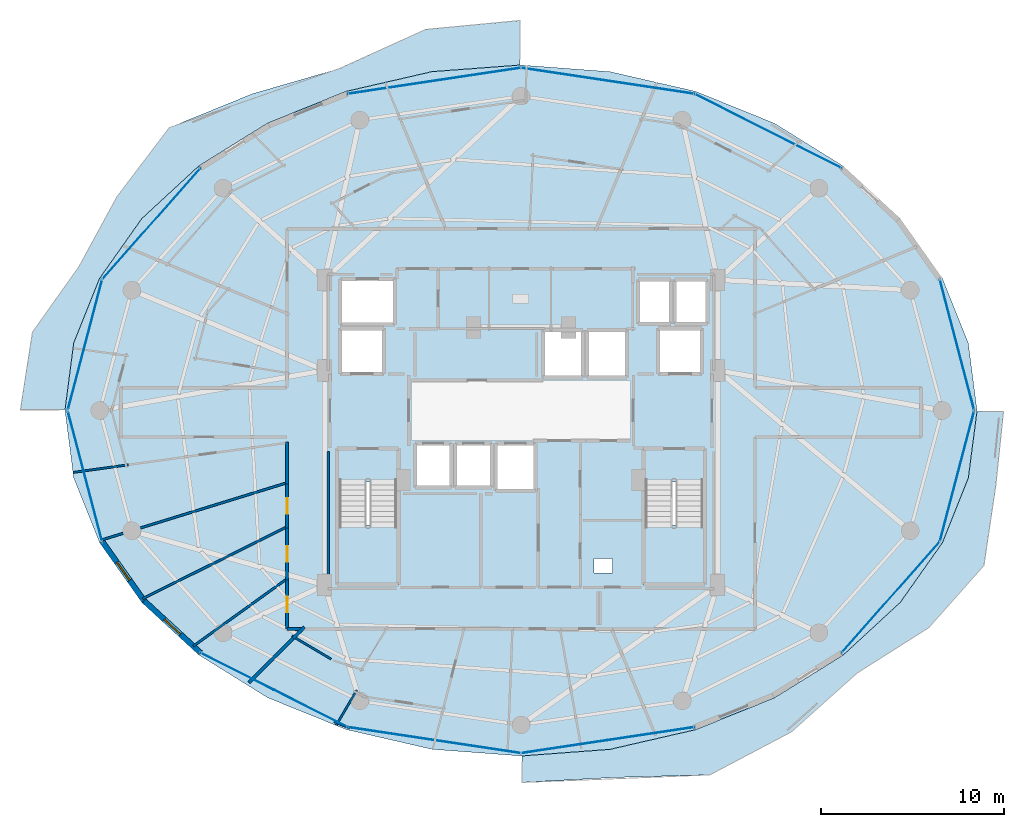
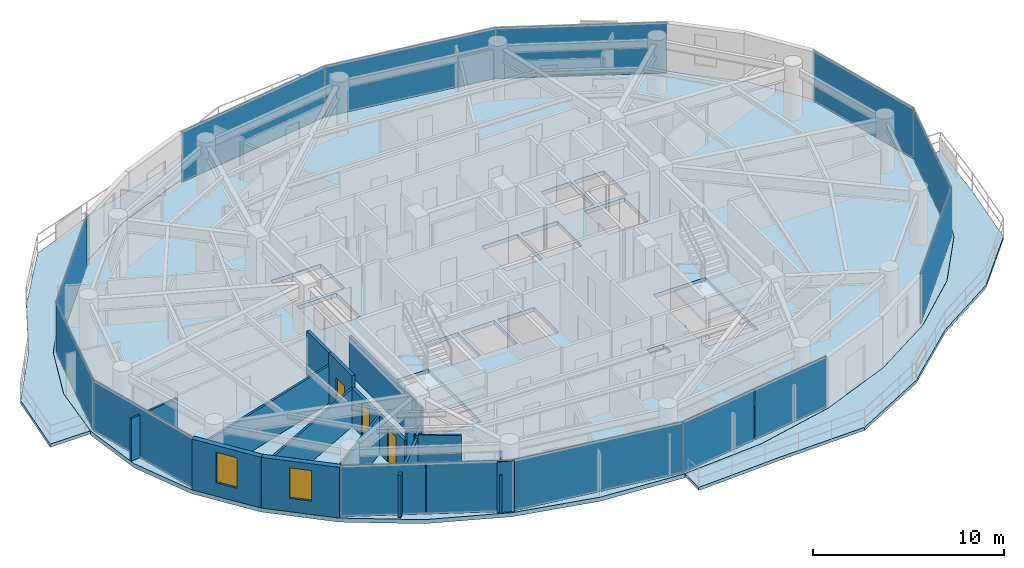
# One storey, part 20 of 29: 17 walls, 14 plates, 5 slabs, 3 doors, 2 windows, 5 openings, 6 elements without a shape of their own.
"""IFC4 building model written with IfcOpenShell, lengths in metres."""

import ifcopenshell
import ifcopenshell.guid

model = None  # the IFC model being written
_history = None  # IfcOwnerHistory: only IFC2X3 demands one
_inside = {}  # id of a spatial element -> (the spatial element, [elements in it])
_under = {}  # id of a project, library or spatial element -> (it, [spatial elements below it])
_declared = {}  # id of a project -> (the project, [libraries it declares])
_typed = {}  # id of a type object -> (the type object, [elements of that type])
_made_of = {}  # id of a material, layer set ... -> (it, [elements and type objects made of it])


def new_model(schema):
    """Start an empty IFC model of exactly this schema.

    Asked for "IFC4X3", IfcOpenShell would pick the latest addendum, in which some entities
    have other attributes; the version numbers below select the first issue.
    IFC2X3 requires an IfcOwnerHistory on every rooted entity: one is made here for all.
    """
    global model, _history
    if schema == "IFC4X3":
        model = ifcopenshell.file(schema_version=(4, 3, 0, 0))
    else:
        model = ifcopenshell.file(schema=schema)
    _inside.clear()
    _under.clear()
    _declared.clear()
    _typed.clear()
    _made_of.clear()
    _history = None
    if model.schema == "IFC2X3":
        org = make("IfcOrganization", Name="unknown")
        user = make(
            "IfcPersonAndOrganization",
            ThePerson=make("IfcPerson", FamilyName="unknown"),
            TheOrganization=org,
        )
        app = make(
            "IfcApplication",
            ApplicationDeveloper=org,
            Version="unknown",
            ApplicationFullName="unknown",
            ApplicationIdentifier="unknown",
        )
        _history = make(
            "IfcOwnerHistory",
            OwningUser=user,
            OwningApplication=app,
            ChangeAction="ADDED",
            CreationDate=0,
        )
    return model


def make(cls, **values):
    """One entity of the class cls with the attributes given. An attribute that is None is left unset."""
    return model.create_entity(
        cls, **{name: value for name, value in values.items() if value is not None}
    )


def rooted(cls, **values):
    """An entity with a GlobalId (a new one), such as an element, a storey or a relation."""
    return make(cls, GlobalId=ifcopenshell.guid.new(), OwnerHistory=_history, **values)


def si_unit(unit_type, name, prefix=None):
    """IfcSIUnit, for example si_unit("LENGTHUNIT", "METRE", prefix="MILLI")."""
    return make("IfcSIUnit", UnitType=unit_type, Prefix=prefix, Name=name)


def assignment(units):
    """IfcUnitAssignment: the units of a project."""
    return None if units is None else make("IfcUnitAssignment", Units=units)


def point(xyz):
    """IfcCartesianPoint."""
    return None if xyz is None else make("IfcCartesianPoint", Coordinates=xyz)


def direction(xyz):
    """IfcDirection."""
    return None if xyz is None else make("IfcDirection", DirectionRatios=xyz)


def frame(location, z_axis=None, x_axis=None):
    """IfcAxis2Placement3D, a coordinate frame: its origin and axes. An axis left out is left unset."""
    return make(
        "IfcAxis2Placement3D",
        Location=point(location),
        Axis=direction(z_axis),
        RefDirection=direction(x_axis),
    )


def frame_2d(location, x_axis=None):
    """IfcAxis2Placement2D, a coordinate frame in the plane: its origin and x axis."""
    return make(
        "IfcAxis2Placement2D", Location=point(location), RefDirection=direction(x_axis)
    )


def origin():
    """The frame at (0, 0, 0) with its axes left unset."""
    return frame((0.0, 0.0, 0.0))


def origin_2d():
    """The frame at (0, 0) in the plane with its x axis left unset."""
    return frame_2d((0.0, 0.0))


def place(relative_to, where):
    """IfcLocalPlacement: puts the frame where relative to a parent placement (None: the world)."""
    return make(
        "IfcLocalPlacement", PlacementRelTo=relative_to, RelativePlacement=where
    )


def context(
    kind, dimensions, precision=None, world=None, true_north=None, identifier=None
):
    """IfcGeometricRepresentationContext, for example the 3D "Model" context."""
    return make(
        "IfcGeometricRepresentationContext",
        ContextIdentifier=identifier,
        ContextType=kind,
        CoordinateSpaceDimension=dimensions,
        Precision=precision,
        WorldCoordinateSystem=world,
        TrueNorth=true_north,
    )


def subcontext(parent, identifier, kind, view, scale=None):
    """IfcGeometricRepresentationSubContext, for example "Body" below "Model"."""
    return make(
        "IfcGeometricRepresentationSubContext",
        ContextIdentifier=identifier,
        ContextType=kind,
        ParentContext=parent,
        TargetScale=scale,
        TargetView=view,
    )


def project(units=None, contexts=None):
    """IfcProject with its units and contexts."""
    return rooted(
        "IfcProject",
        Name="project",
        RepresentationContexts=contexts,
        UnitsInContext=assignment(units),
    )


def spatial(cls, under=None, at=None, **own):
    """A site, building, storey or space (cls), placed at a placement, below another one or the project."""
    s = rooted(cls, ObjectPlacement=at, **own)
    if under is not None:
        _under.setdefault(under.id(), (under, []))[1].append(s)
    return s


def polyline(points):
    """IfcPolyline through the points."""
    return make("IfcPolyline", Points=[point(p) for p in points])


def profile(cls, at=None, kind="AREA", **sizes):
    """A parametric profile (cls). Its sizes go by their IFC names, for example OverallWidth=200.0."""
    return make(cls, ProfileType=kind, Position=at, **sizes)


def rectangle(**sizes):
    """IfcRectangleProfileDef."""
    return profile("IfcRectangleProfileDef", **sizes)


def outline(outer, holes=None, kind="AREA"):
    """IfcArbitraryClosedProfileDef: a profile drawn as a closed curve; with holes, ...WithVoids."""
    if holes is None:
        return make("IfcArbitraryClosedProfileDef", ProfileType=kind, OuterCurve=outer)
    return make(
        "IfcArbitraryProfileDefWithVoids",
        ProfileType=kind,
        OuterCurve=outer,
        InnerCurves=holes,
    )


def extrude(swept, where, along, depth):
    """IfcExtrudedAreaSolid: the profile swept, set in the frame where, extruded along a direction by depth."""
    return make(
        "IfcExtrudedAreaSolid",
        SweptArea=swept,
        Position=where,
        ExtrudedDirection=direction(along),
        Depth=depth,
    )


def shape(context_of_items, identifier, shape_type, items):
    """IfcShapeRepresentation: the items that make up one representation, for example the "Body"."""
    return make(
        "IfcShapeRepresentation",
        ContextOfItems=context_of_items,
        RepresentationIdentifier=identifier,
        RepresentationType=shape_type,
        Items=items,
    )


def material(Name=None, Category=None):
    """IfcMaterial."""
    return make("IfcMaterial", Name=Name, Category=Category)


def layer(
    of_material, thickness, ventilated=None, Name=None, Category=None, Priority=None
):
    """IfcMaterialLayer: one layer of a wall or slab, of a material (None: an air gap)."""
    return make(
        "IfcMaterialLayer",
        Material=of_material,
        LayerThickness=thickness,
        IsVentilated=ventilated,
        Name=Name,
        Category=Category,
        Priority=Priority,
    )


def layer_set(layers, Name=None):
    """IfcMaterialLayerSet."""
    return make("IfcMaterialLayerSet", MaterialLayers=layers, LayerSetName=Name)


def made_of(thing, what):
    """Note that an element or type object is made of a material, layer set ...; save() writes the relation."""
    if what is not None:
        _made_of.setdefault(what.id(), (what, []))[1].append(thing)
    return thing


def type_object(cls, material=None, **own):
    """A type object (cls), such as IfcWallType, which elements share."""
    return made_of(rooted(cls, **own), material)


def element(
    cls,
    number,
    at=None,
    inside=None,
    cuts=None,
    type_object=None,
    material=None,
    context=None,
    identifier="Body",
    shape_type=None,
    held_by="IfcProductDefinitionShape",
    body=None,
    shapes=None,
    **own,
):
    """One element of the class cls, such as IfcWall. Its Tag is "e" and its number.

    at: its placement. inside: the storey or other place that contains it. cuts: it is an
    opening in that element (IfcRelVoidsElement). A single representation is given by context,
    identifier, shape_type and body (its items); several are given by shapes. held_by: the class
    of the entity that holds the representations. save() writes the other relations.
    """
    e = rooted(cls, Tag="e%d" % number, ObjectPlacement=at, **own)
    if body is not None:
        shapes = [shape(context, identifier, shape_type, body)]
    if shapes is not None:
        e.Representation = make(held_by, Representations=shapes)
    if inside is not None:
        _inside.setdefault(inside.id(), (inside, []))[1].append(e)
    if cuts is not None:
        rooted(
            "IfcRelVoidsElement", RelatingBuildingElement=cuts, RelatedOpeningElement=e
        )
    if type_object is not None:
        _typed.setdefault(type_object.id(), (type_object, []))[1].append(e)
    return made_of(e, material)


def fill(opening, filler):
    """IfcRelFillsElement: the door or window that sits in an opening."""
    return rooted(
        "IfcRelFillsElement",
        RelatingOpeningElement=opening,
        RelatedBuildingElement=filler,
    )


def aggregate(whole, parts):
    """IfcRelAggregates: a whole, such as a stair, and the parts it consists of."""
    return rooted("IfcRelAggregates", RelatingObject=whole, RelatedObjects=parts)


def save(model, path):
    """Write the relations noted so far, then the file.

    IfcRelAggregates (storeys below a building ...), IfcRelContainedInSpatialStructure (elements
    in a storey), IfcRelDefinesByType, IfcRelAssociatesMaterial and IfcRelDeclares: one each for
    every whole, place, type object, material and project.
    """
    for whole, parts in _under.values():
        aggregate(whole, parts)
    for where, things in _inside.values():
        rooted(
            "IfcRelContainedInSpatialStructure",
            RelatedElements=things,
            RelatingStructure=where,
        )
    for kind, things in _typed.values():
        rooted("IfcRelDefinesByType", RelatedObjects=things, RelatingType=kind)
    for what, things in _made_of.values():
        rooted("IfcRelAssociatesMaterial", RelatedObjects=things, RelatingMaterial=what)
    for by, libraries in _declared.values():
        rooted("IfcRelDeclares", RelatingContext=by, RelatedDefinitions=libraries)
    model.write(path)


model = new_model("IFC4")

# Units and contexts
model_context = context("Model", 3, precision=1e-05, world=origin(), true_north=direction((0.0, 1.0)))
body_context = subcontext(model_context, "Body", "Model", "MODEL_VIEW")
ifc_project = project(units=[si_unit("LENGTHUNIT", "METRE"), si_unit("AREAUNIT", "SQUARE_METRE"), si_unit("VOLUMEUNIT", "CUBIC_METRE"), si_unit("PLANEANGLEUNIT", "RADIAN"), si_unit("MASSUNIT", "GRAM", prefix="KILO")], contexts=[model_context])

# Site, building, storey
site_placement = place(None, origin())
site = spatial("IfcSite", under=ifc_project, at=site_placement, CompositionType="ELEMENT")
building_placement = place(site_placement, origin())
building = spatial("IfcBuilding", under=site, at=building_placement, Name="Vorneva Point Tower", CompositionType="ELEMENT")
storey_placement = place(building_placement, frame((0.0, 0.0, 167.60009765625)))
storey = spatial("IfcBuildingStorey", under=building, at=storey_placement, Name="L45", CompositionType="ELEMENT", Elevation=167.60009765625)

# Curtain wall, plates
ifc_material_1 = material(Name="Pale anodised aluminium", Category="aluminium")
curtain_wall_type = type_object("IfcCurtainWallType", Name="CW-RES-SYS", PredefinedType="NOTDEFINED", material=ifc_material_1)
curtain_wall_1_placement = place(storey_placement, origin())
curtain_wall_1 = element("IfcCurtainWall", 1, at=curtain_wall_1_placement, inside=storey, type_object=curtain_wall_type, Name="L45 Unitised Curtain Wall CW-L45-R01", PredefinedType="NOTDEFINED")
ifc_material_2 = material(Name="Double low-e laminated glass IGU", Category="glass")
ifc_layer_1 = layer(ifc_material_2, 0.035888671875)
ifc_layer_set_1 = layer_set([ifc_layer_1], Name="Double low-e laminated glass IGU")
plate_type = type_object("IfcPlateType", Name="CW-PNL-VIS", PredefinedType="CURTAIN_PANEL", material=ifc_layer_set_1)
plate_1_placement = place(storey_placement, frame((58.22412109375, 15.783203125, -0.02001953125), z_axis=(0.0, 0.0, 1.0), x_axis=(0.662214727207, 0.749314123095, 0.0)))
plate_1 = element("IfcPlate", 2, at=plate_1_placement, type_object=plate_type, Name="CW-L45-R01 Glazed Panel 01", PredefinedType="CURTAIN_PANEL", context=body_context, shape_type="SweptSolid", body=[
    extrude(rectangle(XDim=8.068115234375, YDim=0.035888671875, at=origin_2d()), origin(), (0.0, 0.0, 1.0), 3.280029296875),
])
plate_2_placement = place(storey_placement, frame((61.856201171875, 22.412353515625, -0.02001953125), z_axis=(0.0, 0.0, 1.0), x_axis=(0.254433162972, 0.967090360608, 0.0)))
plate_2 = element("IfcPlate", 3, at=plate_2_placement, type_object=plate_type, Name="CW-L45-R01 Glazed Panel 02", PredefinedType="CURTAIN_PANEL", context=body_context, shape_type="SweptSolid", body=[
    extrude(rectangle(XDim=7.369384765625, YDim=0.035888671875, at=origin_2d()), origin(), (0.0, 0.0, 1.0), 3.280029296875),
])
plate_3_placement = place(storey_placement, frame((61.856201171875, 29.587646484375, -0.02001953125), z_axis=(0.0, 0.0, 1.0), x_axis=(-0.254433162972, 0.967090360608, 0.0)))
plate_3 = element("IfcPlate", 4, at=plate_3_placement, type_object=plate_type, Name="CW-L45-R01 Glazed Panel 03", PredefinedType="CURTAIN_PANEL", context=body_context, shape_type="SweptSolid", body=[
    extrude(rectangle(XDim=7.369384765625, YDim=0.035888671875, at=origin_2d()), origin(), (0.0, 0.0, 1.0), 3.280029296875),
])
aggregate(curtain_wall_1, [plate_1, plate_2, plate_3])

curtain_wall_2_placement = place(storey_placement, origin())
curtain_wall_2 = element("IfcCurtainWall", 5, at=curtain_wall_2_placement, inside=storey, type_object=curtain_wall_type, Name="L45 Unitised Curtain Wall CW-L45-R02", PredefinedType="NOTDEFINED")
plate_4_placement = place(storey_placement, frame((51.513427734375, 41.29052734375, -0.02001953125), z_axis=(0.0, 0.0, 1.0), x_axis=(-0.892577949019, 0.450893119182, 0.0)))
plate_4 = element("IfcPlate", 6, at=plate_4_placement, type_object=plate_type, Name="CW-L45-R02 Glazed Panel 01", PredefinedType="CURTAIN_PANEL", context=body_context, shape_type="SweptSolid", body=[
    extrude(rectangle(XDim=8.964111328125, YDim=0.035888671875, at=origin_2d()), origin(), (0.0, 0.0, 1.0), 3.280029296875),
])
plate_5_placement = place(storey_placement, frame((42.7451171875, 44.036376953125, -0.02001953125), z_axis=(0.0, 0.0, 1.0), x_axis=(-0.988878712919, 0.148724211669, 0.0)))
plate_5 = element("IfcPlate", 7, at=plate_5_placement, type_object=plate_type, Name="CW-L45-R02 Glazed Panel 02", PredefinedType="CURTAIN_PANEL", context=body_context, shape_type="SweptSolid", body=[
    extrude(rectangle(XDim=9.547119140625, YDim=0.035888671875, at=origin_2d()), origin(), (0.0, 0.0, 1.0), 3.280029296875),
])
plate_6_placement = place(storey_placement, frame((33.2548828125, 44.036376953125, -0.02001953125), z_axis=(0.0, 0.0, 1.0), x_axis=(-0.988878712919, -0.148724211669, 0.0)))
plate_6 = element("IfcPlate", 8, at=plate_6_placement, type_object=plate_type, Name="CW-L45-R02 Glazed Panel 03", PredefinedType="CURTAIN_PANEL", context=body_context, shape_type="SweptSolid", body=[
    extrude(rectangle(XDim=9.547119140625, YDim=0.035888671875, at=origin_2d()), origin(), (0.0, 0.0, 1.0), 3.280029296875),
])
aggregate(curtain_wall_2, [plate_4, plate_5, plate_6])

curtain_wall_3_placement = place(storey_placement, origin())
curtain_wall_3 = element("IfcCurtainWall", 9, at=curtain_wall_3_placement, inside=storey, type_object=curtain_wall_type, Name="L45 Unitised Curtain Wall CW-L45-R03", PredefinedType="NOTDEFINED")
plate_7_placement = place(storey_placement, frame((17.77587890625, 36.216796875, -0.02001953125), z_axis=(0.0, 0.0, 1.0), x_axis=(-0.662214727207, -0.749314123095, 0.0)))
plate_7 = element("IfcPlate", 10, at=plate_7_placement, type_object=plate_type, Name="CW-L45-R03 Glazed Panel 01", PredefinedType="CURTAIN_PANEL", context=body_context, shape_type="SweptSolid", body=[
    extrude(rectangle(XDim=8.068115234375, YDim=0.035888671875, at=origin_2d()), origin(), (0.0, 0.0, 1.0), 3.280029296875),
])
plate_8_placement = place(storey_placement, frame((14.143798828125, 29.587646484375, -0.02001953125), z_axis=(0.0, 0.0, 1.0), x_axis=(-0.254433162972, -0.967090360608, 0.0)))
plate_8 = element("IfcPlate", 11, at=plate_8_placement, type_object=plate_type, Name="CW-L45-R03 Glazed Panel 02", PredefinedType="CURTAIN_PANEL", context=body_context, shape_type="SweptSolid", body=[
    extrude(rectangle(XDim=7.369384765625, YDim=0.035888671875, at=origin_2d()), origin(), (0.0, 0.0, 1.0), 3.280029296875),
])
plate_9_placement = place(storey_placement, frame((14.143798828125, 22.412353515625, -0.02001953125), z_axis=(0.0, 0.0, 1.0), x_axis=(0.254433162972, -0.967090360608, 0.0)))
plate_9 = element("IfcPlate", 12, at=plate_9_placement, type_object=plate_type, Name="CW-L45-R03 Glazed Panel 03", PredefinedType="CURTAIN_PANEL", context=body_context, shape_type="SweptSolid", body=[
    extrude(rectangle(XDim=7.369384765625, YDim=0.035888671875, at=origin_2d()), origin(), (0.0, 0.0, 1.0), 3.280029296875),
])
aggregate(curtain_wall_3, [plate_7, plate_8, plate_9])

curtain_wall_4_placement = place(storey_placement, origin())
curtain_wall_4 = element("IfcCurtainWall", 13, at=curtain_wall_4_placement, inside=storey, type_object=curtain_wall_type, Name="L45 Unitised Curtain Wall CW-L45-R04", PredefinedType="NOTDEFINED")
plate_10_placement = place(storey_placement, frame((22.47509765625, 11.7255859375, -0.02001953125), z_axis=(0.0, 0.0, 1.0), x_axis=(0.892577949019, -0.450893119182, 0.0)))
plate_10 = element("IfcPlate", 14, at=plate_10_placement, type_object=plate_type, Name="CW-L45-R04 Glazed Panel 01A", PredefinedType="CURTAIN_PANEL", context=body_context, shape_type="SweptSolid", body=[
    extrude(rectangle(XDim=4.45703125, YDim=0.035888671875, at=origin_2d()), origin(), (0.0, 0.0, 1.0), 3.280029296875),
])
plate_11_placement = place(storey_placement, frame((26.498046875, 9.693359375, -0.02001953125), z_axis=(0.0, 0.0, 1.0), x_axis=(0.892577949019, -0.450893119182, 0.0)))
plate_11 = element("IfcPlate", 15, at=plate_11_placement, type_object=plate_type, Name="CW-L45-R04 Glazed Panel 01B", PredefinedType="CURTAIN_PANEL", context=body_context, shape_type="SweptSolid", body=[
    extrude(rectangle(XDim=4.45703125, YDim=0.035888671875, at=origin_2d()), origin(), (0.0, 0.0, 1.0), 3.280029296875),
])
plate_12_placement = place(storey_placement, frame((33.2548828125, 7.963623046875, -0.02001953125), z_axis=(0.0, 0.0, 1.0), x_axis=(0.988878712919, -0.148724211669, 0.0)))
plate_12 = element("IfcPlate", 16, at=plate_12_placement, type_object=plate_type, Name="CW-L45-R04 Glazed Panel 02", PredefinedType="CURTAIN_PANEL", context=body_context, shape_type="SweptSolid", body=[
    extrude(rectangle(XDim=9.547119140625, YDim=0.035888671875, at=origin_2d()), origin(), (0.0, 0.0, 1.0), 3.280029296875),
])
plate_13_placement = place(storey_placement, frame((40.37255859375, 7.606689453125, -0.02001953125), z_axis=(0.0, 0.0, 1.0), x_axis=(0.988878712919, 0.148724211669, 0.0)))
plate_13 = element("IfcPlate", 17, at=plate_13_placement, type_object=plate_type, Name="CW-L45-R04 Glazed Panel 03A", PredefinedType="CURTAIN_PANEL", context=body_context, shape_type="SweptSolid", body=[
    extrude(rectangle(XDim=4.74853515625, YDim=0.035888671875, at=origin_2d()), origin(), (0.0, 0.0, 1.0), 3.280029296875),
])
plate_14_placement = place(storey_placement, frame((45.117919921875, 8.320556640625, -0.02001953125), z_axis=(0.0, 0.0, 1.0), x_axis=(0.988878712919, 0.148724211669, 0.0)))
plate_14 = element("IfcPlate", 18, at=plate_14_placement, type_object=plate_type, Name="CW-L45-R04 Glazed Panel 03B", PredefinedType="CURTAIN_PANEL", context=body_context, shape_type="SweptSolid", body=[
    extrude(rectangle(XDim=4.74853515625, YDim=0.035888671875, at=origin_2d()), origin(), (0.0, 0.0, 1.0), 3.280029296875),
])
aggregate(curtain_wall_4, [plate_10, plate_11, plate_12, plate_13, plate_14])

# Slabs
ifc_material_3 = material(Name="Concrete B50 (C40/50)", Category="concrete")
ifc_layer_2 = layer(ifc_material_3, 0.199951171875)
ifc_layer_set_2 = layer_set([ifc_layer_2], Name="Concrete B50 (C40/50)")
slab_type_1 = type_object("IfcSlabType", Name="SLB-BAL-200", PredefinedType="FLOOR", material=ifc_layer_set_2)
slab_1_placement = place(storey_placement, frame((0.0, 0.0, -0.2001953125)))
element("IfcSlab", 19, at=slab_1_placement, inside=storey, type_object=slab_type_1, Name="L45 Cantilevered Wave Balcony NW", PredefinedType="FLOOR", context=body_context, shape_type="SweptSolid", body=[
    extrude(outline(polyline([(10.61279296875, 26.050048828125), (13.052490234375, 26.050048828125), (13.525390625, 29.687744140625), (13.525390625, 29.68798828125), (13.525634765625, 29.6884765625), (13.525634765625, 29.688720703125), (14.945556640625, 33.234130859375), (14.94580078125, 33.234619140625), (14.94580078125, 33.235107421875), (17.25146484375, 36.502685546875), (17.251708984375, 36.5029296875), (17.252197265625, 36.503173828125), (20.35498046875, 39.3671875), (20.355224609375, 39.367431640625), (20.355712890625, 39.36767578125), (24.136474609375, 41.71826171875), (24.13671875, 41.718505859375), (24.136962890625, 41.718505859375), (28.450439453125, 43.465087890625), (28.45068359375, 43.465087890625), (28.451171875, 43.465087890625), (33.131591796875, 44.540771484375), (33.1318359375, 44.540771484375), (33.132080078125, 44.540771484375), (37.949951171875, 44.900390625), (37.949951171875, 47.34033203125), (32.783935546875, 46.849609375), (28.06201171875, 44.704833984375), (23.319580078125, 43.332763671875), (18.757568359375, 41.476806640625), (15.89501953125, 37.699951171875), (13.8056640625, 33.85791015625), (11.26708984375, 30.28125), (10.61279296875, 26.050048828125)])), origin(), (0.0, 0.0, 1.0), 0.2001953125),
])
slab_2_placement = place(storey_placement, frame((0.0, 0.0, -0.2001953125)))
element("IfcSlab", 20, at=slab_2_placement, inside=storey, type_object=slab_type_1, Name="L45 Cantilevered Wave Balcony SE", PredefinedType="FLOOR", context=body_context, shape_type="SweptSolid", body=[
    extrude(outline(polyline([(63.98046875, 21.916259765625), (64.39990234375, 25.949951171875), (62.947509765625, 25.949951171875), (62.474609375, 22.312255859375), (62.474609375, 22.31201171875), (62.474365234375, 22.3115234375), (62.474365234375, 22.311279296875), (61.054443359375, 18.765869140625), (61.05419921875, 18.765380859375), (61.05419921875, 18.764892578125), (58.74853515625, 15.497314453125), (58.748291015625, 15.4970703125), (58.747802734375, 15.496826171875), (55.64501953125, 12.6328125), (55.644775390625, 12.632568359375), (55.644287109375, 12.63232421875), (51.863525390625, 10.28173828125), (51.86328125, 10.281494140625), (51.863037109375, 10.281494140625), (47.549560546875, 8.534912109375), (47.54931640625, 8.534912109375), (47.548828125, 8.534912109375), (42.868408203125, 7.459228515625), (42.8681640625, 7.459228515625), (42.867919921875, 7.459228515625), (38.050048828125, 7.099609375), (38.050048828125, 5.647705078125), (43.10009765625, 5.91943359375), (48.325439453125, 6.06103515625), (52.8037109375, 8.423583984375), (56.397216796875, 11.639404296875), (60.31005859375, 14.119384765625), (63.3291015625, 17.521484375), (63.98046875, 21.916259765625)])), origin(), (0.0, 0.0, 1.0), 0.2001953125),
])

# Stair, slab
stair_type = type_object("IfcStairType", Name="ST-DOG-1500", PredefinedType="HALF_TURN_STAIR", material=ifc_material_3)
stair_1_placement = place(storey_placement, origin())
stair_1 = element("IfcStair", 21, at=stair_1_placement, inside=storey, type_object=stair_type, Name="L45 ST1", PredefinedType="HALF_TURN_STAIR")
ifc_layer_3 = layer(ifc_material_3, 0.199951171875)
ifc_layer_set_3 = layer_set([ifc_layer_3], Name="Concrete B50 (C40/50)")
slab_type_2 = type_object("IfcSlabType", Name="SLB-LND-200", PredefinedType="LANDING", material=ifc_layer_set_3)
slab_3_placement = place(storey_placement, frame((0.0, 0.0, 1.5498046875)))
slab_3 = element("IfcSlab", 22, at=slab_3_placement, type_object=slab_type_2, Name="ST1 landing 1", PredefinedType="LANDING", context=body_context, shape_type="SweptSolid", body=[
    extrude(outline(polyline([(27.929931640625, 16.47998046875), (31.320068359375, 16.47998046875), (31.320068359375, 19.72998046875), (27.929931640625, 19.72998046875), (27.929931640625, 16.47998046875)])), origin(), (0.0, 0.0, 1.0), 0.2001953125),
])
aggregate(stair_1, [slab_3])

stair_2_placement = place(storey_placement, origin())
stair_2 = element("IfcStair", 23, at=stair_2_placement, inside=storey, type_object=stair_type, Name="L45 ST2", PredefinedType="HALF_TURN_STAIR")
slab_4_placement = place(storey_placement, frame((0.0, 0.0, 1.5498046875)))
slab_4 = element("IfcSlab", 24, at=slab_4_placement, type_object=slab_type_2, Name="ST2 landing 1", PredefinedType="LANDING", context=body_context, shape_type="SweptSolid", body=[
    extrude(outline(polyline([(44.679931640625, 16.47998046875), (48.070068359375, 16.47998046875), (48.070068359375, 19.72998046875), (44.679931640625, 19.72998046875), (44.679931640625, 16.47998046875)])), origin(), (0.0, 0.0, 1.0), 0.2001953125),
])
aggregate(stair_2, [slab_4])

# Slab
ifc_layer_4 = layer(ifc_material_3, 0.260009765625)
ifc_layer_set_4 = layer_set([ifc_layer_4], Name="Concrete B50 (C40/50)")
slab_type_3 = type_object("IfcSlabType", Name="SLB-TYP-260", PredefinedType="FLOOR", material=ifc_layer_set_4)
slab_5_placement = place(storey_placement, frame((0.0, 0.0, -0.260009765625)))
element("IfcSlab", 25, at=slab_5_placement, inside=storey, type_object=slab_type_3, Name="L45 Structural Floor Plate", PredefinedType="FLOOR", context=body_context, shape_type="SweptSolid", body=[
    extrude(outline(polyline([(62.949951171875, 26.0), (62.470703125, 29.687255859375), (61.05078125, 33.232666015625), (58.7451171875, 36.500244140625), (55.642333984375, 39.3642578125), (51.861572265625, 41.71484375), (47.548095703125, 43.461181640625), (42.867431640625, 44.536865234375), (38.0, 44.89990234375), (33.132568359375, 44.536865234375), (28.451904296875, 43.461181640625), (24.138427734375, 41.71484375), (20.357666015625, 39.3642578125), (17.2548828125, 36.500244140625), (14.94921875, 33.232666015625), (13.529296875, 29.687255859375), (13.050048828125, 26.0), (13.529296875, 22.312744140625), (14.94921875, 18.767333984375), (17.2548828125, 15.499755859375), (20.357666015625, 12.6357421875), (24.138427734375, 10.28515625), (28.451904296875, 8.538818359375), (33.132568359375, 7.463134765625), (38.0, 7.10009765625), (42.867431640625, 7.463134765625), (47.548095703125, 8.538818359375), (51.861572265625, 10.28515625), (55.642333984375, 12.6357421875), (58.7451171875, 15.499755859375), (61.05078125, 18.767333984375), (62.470703125, 22.312744140625), (62.949951171875, 26.0)]), holes=[polyline([(32.199951171875, 21.800048828125), (34.199951171875, 21.800048828125), (34.199951171875, 24.199951171875), (32.199951171875, 24.199951171875), (32.199951171875, 21.800048828125)]), polyline([(34.39990234375, 21.800048828125), (36.39990234375, 21.800048828125), (36.39990234375, 24.199951171875), (34.39990234375, 24.199951171875), (34.39990234375, 21.800048828125)]), polyline([(36.60009765625, 21.60009765625), (38.800048828125, 21.60009765625), (38.800048828125, 24.199951171875), (36.60009765625, 24.199951171875), (36.60009765625, 21.60009765625)]), polyline([(39.199951171875, 27.800048828125), (41.39990234375, 27.800048828125), (41.39990234375, 30.39990234375), (39.199951171875, 30.39990234375), (39.199951171875, 27.800048828125)]), polyline([(41.60009765625, 27.800048828125), (43.800048828125, 27.800048828125), (43.800048828125, 30.39990234375), (41.60009765625, 30.39990234375), (41.60009765625, 27.800048828125)]), polyline([(44.39990234375, 30.739990234375), (46.199951171875, 30.739990234375), (46.199951171875, 33.159912109375), (44.39990234375, 33.159912109375), (44.39990234375, 30.739990234375)]), polyline([(46.39990234375, 30.739990234375), (48.199951171875, 30.739990234375), (48.199951171875, 33.159912109375), (46.39990234375, 33.159912109375), (46.39990234375, 30.739990234375)]), polyline([(28.10009765625, 28.0), (30.5, 28.0), (30.5, 30.5), (28.10009765625, 30.5), (28.10009765625, 28.0)]), polyline([(45.5, 28.0), (47.89990234375, 28.0), (47.89990234375, 30.5), (45.5, 30.5), (45.5, 28.0)]), polyline([(28.10009765625, 30.699951171875), (31.10009765625, 30.699951171875), (31.10009765625, 33.199951171875), (28.10009765625, 33.199951171875), (28.10009765625, 30.699951171875)]), polyline([(28.050048828125, 16.60009765625), (31.199951171875, 16.60009765625), (31.199951171875, 22.080078125), (28.050048828125, 22.080078125), (28.050048828125, 16.60009765625)]), polyline([(44.800048828125, 16.60009765625), (47.949951171875, 16.60009765625), (47.949951171875, 22.080078125), (44.800048828125, 22.080078125), (44.800048828125, 16.60009765625)]), polyline([(42.0, 17.10009765625), (43.0, 17.10009765625), (43.0, 17.89990234375), (42.0, 17.89990234375), (42.0, 17.10009765625)])]), origin(), (0.0, 0.0, 1.0), 0.260009765625),
])

# Wall, opening, window
ifc_material_4 = material(Name="Precast concrete B50 (C40/50)", Category="concrete")
ifc_layer_5 = layer(ifc_material_4, 0.300048828125)
ifc_layer_set_5 = layer_set([ifc_layer_5], Name="Precast concrete B50 (C40/50)")
wall_type_1 = type_object("IfcWallType", Name="WL-EXT-300", PredefinedType="STANDARD", material=ifc_layer_set_5)
wall_1_placement = place(storey_placement, frame((15.087890625, 18.82470703125, 0.0), z_axis=(0.0, 0.0, 1.0), x_axis=(0.577269753207, -0.816553508371, 0.0)))
wall_1 = element("IfcWall", 26, at=wall_1_placement, inside=storey, type_object=wall_type_1, Name="L45 Pale-Metal Facade Spandrel Wall 10.1", PredefinedType="STANDARD", context=body_context, shape_type="SweptSolid", body=[
    extrude(rectangle(XDim=3.969970703125, YDim=0.300048828125, at=frame_2d((1.98486328125, 0.0))), origin(), (0.0, 0.0, 1.0), 3.239990234375),
])
opening_1_placement = place(wall_1_placement, frame((1.385009765625, 0.0, 0.85009765625)))
opening_1 = element("IfcOpeningElement", 27, at=opening_1_placement, cuts=wall_1, Name="Opening W-04", PredefinedType="OPENING", context=body_context, shape_type="SweptSolid", body=[
    extrude(rectangle(XDim=1.199951171875, YDim=1.949951171875, at=frame_2d((0.60009765625, 0.97509765625))), frame((0.0, 0.1650390625, 0.0), z_axis=(0.0, -1.0, 0.0), x_axis=(1.0, 0.0, 0.0)), (0.0, 0.0, 1.0), 0.329833984375),
])
window_type = type_object("IfcWindowType", Name="WN-RES-1200", PartitioningType="SINGLE_PANEL", PredefinedType="WINDOW", material=ifc_material_2)
window_1_placement = place(opening_1_placement, origin())
window_1 = element("IfcWindow", 28, at=window_1_placement, inside=storey, type_object=window_type, Name="L45 Dwelling Vision Window 02", OverallHeight=1.949951171875, OverallWidth=1.199951171875, PartitioningType="SINGLE_PANEL", PredefinedType="WINDOW", context=body_context, shape_type="SweptSolid", body=[
    extrude(rectangle(XDim=1.199951171875, YDim=1.949951171875, at=frame_2d((0.60009765625, 0.97509765625))), frame((0.0, 0.030029296875, 0.0), z_axis=(0.0, -1.0, 0.0), x_axis=(1.0, 0.0, 0.0)), (0.0, 0.0, 1.0), 0.06005859375),
])
fill(opening_1, window_1)

wall_2_placement = place(storey_placement, frame((17.379638671875, 15.5830078125, 0.0), z_axis=(0.0, 0.0, 1.0), x_axis=(0.735477154165, -0.677549522693, 0.0)))
wall_2 = element("IfcWall", 29, at=wall_2_placement, inside=storey, type_object=wall_type_1, Name="L45 Pale-Metal Facade Spandrel Wall 10.2", PredefinedType="STANDARD", context=body_context, shape_type="SweptSolid", body=[
    extrude(rectangle(XDim=4.193603515625, YDim=0.300048828125, at=frame_2d((2.0966796875, 0.0))), origin(), (0.0, 0.0, 1.0), 3.239990234375),
])
opening_2_placement = place(wall_2_placement, frame((1.496826171875, 0.0, 0.85009765625)))
opening_2 = element("IfcOpeningElement", 30, at=opening_2_placement, cuts=wall_2, Name="Opening W-04", PredefinedType="OPENING", context=body_context, shape_type="SweptSolid", body=[
    extrude(rectangle(XDim=1.199951171875, YDim=1.949951171875, at=frame_2d((0.60009765625, 0.97509765625))), frame((0.0, 0.1650390625, 0.0), z_axis=(0.0, -1.0, 0.0), x_axis=(1.0, 0.0, 0.0)), (0.0, 0.0, 1.0), 0.329833984375),
])
window_2_placement = place(opening_2_placement, origin())
window_2 = element("IfcWindow", 31, at=window_2_placement, inside=storey, type_object=window_type, Name="L45 Dwelling Vision Window 03", OverallHeight=1.949951171875, OverallWidth=1.199951171875, PartitioningType="SINGLE_PANEL", PredefinedType="WINDOW", context=body_context, shape_type="SweptSolid", body=[
    extrude(rectangle(XDim=1.199951171875, YDim=1.949951171875, at=frame_2d((0.60009765625, 0.97509765625))), frame((0.0, 0.030029296875, 0.0), z_axis=(0.0, -1.0, 0.0), x_axis=(1.0, 0.0, 0.0)), (0.0, 0.0, 1.0), 0.06005859375),
])
fill(opening_2, window_2)

# Walls
ifc_material_5 = material(Name="Fire-rated acoustic gypsum stud partition", Category="gypsum")
ifc_layer_6 = layer(ifc_material_5, 0.110107421875)
ifc_layer_set_6 = layer_set([ifc_layer_6], Name="Fire-rated acoustic gypsum stud partition")
wall_type_2 = type_object("IfcWallType", Name="WL-PART-110", PredefinedType="PARTITIONING", material=ifc_layer_set_6)
wall_3_placement = place(storey_placement, frame((16.524658203125, 23.0302734375, 0.0), z_axis=(0.0, 0.0, 1.0), x_axis=(-0.990557555541, -0.137097516973, 0.0)))
element("IfcWall", 32, at=wall_3_placement, inside=storey, type_object=wall_type_2, Name="L45 Interior Partition 092", PredefinedType="PARTITIONING", context=body_context, shape_type="SweptSolid", body=[
    extrude(rectangle(XDim=3.05224609375, YDim=0.110107421875, at=frame_2d((1.526123046875, 0.0))), origin(), (0.0, 0.0, 1.0), 2.727783203125),
])
wall_4_placement = place(storey_placement, frame((27.610595703125, 12.398681640625, 0.0), z_axis=(0.0, 0.0, 1.0), x_axis=(-0.860546797705, 0.509371386082, 0.0)))
element("IfcWall", 33, at=wall_4_placement, inside=storey, type_object=wall_type_2, Name="L45 Interior Partition 102", PredefinedType="PARTITIONING", context=body_context, shape_type="SweptSolid", body=[
    extrude(rectangle(XDim=2.484619140625, YDim=0.110107421875, at=frame_2d((1.2421875, 0.0))), origin(), (0.0, 0.0, 1.0), 2.928955078125),
])
wall_5_placement = place(storey_placement, frame((27.88818359375, 8.779296875, 0.0), z_axis=(0.0, 0.0, 1.0), x_axis=(0.506572342253, 0.86219746118, 0.0)))
element("IfcWall", 34, at=wall_5_placement, inside=storey, type_object=wall_type_2, Name="L45 Interior Partition 103", PredefinedType="PARTITIONING", context=body_context, shape_type="SweptSolid", body=[
    extrude(rectangle(XDim=2.239990234375, YDim=0.110107421875, at=frame_2d((1.1201171875, 0.0))), origin(), (0.0, 0.0, 1.0), 2.431884765625),
])
wall_6_placement = place(storey_placement, frame((27.773193359375, 8.974365234375, 0.0), z_axis=(0.0, 0.0, 1.0), x_axis=(0.927227668606, -0.374498131599, 0.0)))
element("IfcWall", 35, at=wall_6_placement, inside=storey, type_object=wall_type_2, Name="L45 Interior Partition 106", PredefinedType="PARTITIONING", context=body_context, shape_type="SweptSolid", body=[
    extrude(rectangle(XDim=0.92041015625, YDim=0.110107421875, at=frame_2d((0.460205078125, 0.0))), origin(), (0.0, 0.0, 1.0), 3.239990234375),
])
ifc_layer_7 = layer(ifc_material_5, 0.125)
ifc_layer_set_7 = layer_set([ifc_layer_7], Name="Fire-rated acoustic gypsum stud partition")
wall_type_3 = type_object("IfcWallType", Name="WL-PART-125", PredefinedType="PARTITIONING", material=ifc_layer_set_7)
wall_7_placement = place(storey_placement, frame((15.051025390625, 18.9150390625, 0.0), z_axis=(0.0, 0.0, 1.0), x_axis=(0.955505753702, 0.294972464211, 0.0)))
element("IfcWall", 36, at=wall_7_placement, inside=storey, type_object=wall_type_3, Name="L45 Interior Partition 095", PredefinedType="PARTITIONING", context=body_context, shape_type="SweptSolid", body=[
    extrude(rectangle(XDim=10.62158203125, YDim=0.125, at=frame_2d((5.310791015625, 0.0))), origin(), (0.0, 0.0, 1.0), 2.431884765625),
])
wall_8_placement = place(storey_placement, frame((17.2939453125, 15.7041015625, 0.0), z_axis=(0.0, 0.0, 1.0), x_axis=(0.89538182578, 0.445299209591, 0.0)))
element("IfcWall", 37, at=wall_8_placement, inside=storey, type_object=wall_type_3, Name="L45 Interior Partition 096", PredefinedType="PARTITIONING", context=body_context, shape_type="SweptSolid", body=[
    extrude(rectangle(XDim=8.829833984375, YDim=0.125, at=frame_2d((4.4150390625, 0.0))), origin(), (0.0, 0.0, 1.0), 2.431884765625),
])
wall_9_placement = place(storey_placement, frame((20.069091796875, 13.10595703125, 0.0), z_axis=(0.0, 0.0, 1.0), x_axis=(0.81185514799, 0.58385890306, 0.0)))
element("IfcWall", 38, at=wall_9_placement, inside=storey, type_object=wall_type_3, Name="L45 Interior Partition 097", PredefinedType="PARTITIONING", context=body_context, shape_type="SweptSolid", body=[
    extrude(rectangle(XDim=6.31982421875, YDim=0.125, at=frame_2d((3.159912109375, 0.0))), origin(), (0.0, 0.0, 1.0), 2.431884765625),
])
ifc_layer_8 = layer(ifc_material_5, 0.139892578125)
ifc_layer_set_8 = layer_set([ifc_layer_8], Name="Fire-rated acoustic gypsum stud partition")
wall_type_4 = type_object("IfcWallType", Name="WL-PART-140", PredefinedType="PARTITIONING", material=ifc_layer_set_8)
wall_10_placement = place(storey_placement, frame((27.449951171875, 23.75390625, 0.0), z_axis=(0.0, 0.0, 1.0), x_axis=(0.0, -1.0, 0.0)))
element("IfcWall", 39, at=wall_10_placement, inside=storey, type_object=wall_type_4, Name="L45 Interior Closure Partition 127", PredefinedType="PARTITIONING", context=body_context, shape_type="SweptSolid", body=[
    extrude(rectangle(XDim=7.513916015625, YDim=0.139892578125, at=frame_2d((3.7568359375, 0.0))), origin(), (0.0, 0.0, 1.0), 2.431884765625),
])
ifc_layer_9 = layer(ifc_material_5, 0.159912109375)
ifc_layer_set_9 = layer_set([ifc_layer_9], Name="Fire-rated acoustic gypsum stud partition")
wall_type_5 = type_object("IfcWallType", Name="WL-PART-160", PredefinedType="PARTITIONING", material=ifc_layer_set_9)
wall_11_placement = place(storey_placement, frame((23.10498046875, 11.10498046875, 0.0), z_axis=(0.0, 0.0, 1.0), x_axis=(0.707106781187, 0.707106781187, 0.0)))
element("IfcWall", 40, at=wall_11_placement, inside=storey, type_object=wall_type_5, Name="L45 Interior Partition 098", PredefinedType="PARTITIONING", context=body_context, shape_type="SweptSolid", body=[
    extrude(rectangle(XDim=3.580810546875, YDim=0.159912109375, at=frame_2d((1.79052734375, 0.0))), origin(), (0.0, 0.0, 1.0), 2.727783203125),
])
wall_12_placement = place(storey_placement, frame((25.5380859375, 13.5380859375, 0.0), z_axis=(0.0, 0.0, 1.0), x_axis=(0.707106781187, 0.707106781187, 0.0)))
element("IfcWall", 41, at=wall_12_placement, inside=storey, type_object=wall_type_5, Name="L45 Interior Partition 099", PredefinedType="PARTITIONING", context=body_context, shape_type="SweptSolid", body=[
    extrude(rectangle(XDim=0.86376953125, YDim=0.159912109375, at=frame_2d((0.431884765625, 0.0))), origin(), (0.0, 0.0, 1.0), 2.928955078125),
])
ifc_material_6 = material(Name="Autoclaved aerated concrete blockwork", Category="masonry")
ifc_layer_10 = layer(ifc_material_6, 0.179931640625)
ifc_layer_set_10 = layer_set([ifc_layer_10], Name="Autoclaved aerated concrete blockwork")
wall_type_6 = type_object("IfcWallType", Name="WL-PART-180", PredefinedType="PARTITIONING", material=ifc_layer_set_10)
wall_13_placement = place(storey_placement, frame((25.199951171875, 24.2900390625, 0.0), z_axis=(0.0, 0.0, 1.0), x_axis=(0.0, -1.0, 0.0)))
element("IfcWall", 42, at=wall_13_placement, inside=storey, type_object=wall_type_6, Name="L45 Interior Partition 043", PredefinedType="PARTITIONING", context=body_context, shape_type="SweptSolid", body=[
    extrude(rectangle(XDim=2.304931640625, YDim=0.179931640625, at=frame_2d((1.15234375, 0.0))), origin(), (0.0, 0.0, 1.0), 3.239990234375),
])

# Wall, opening, door
wall_14_placement = place(storey_placement, frame((25.199951171875, 21.985107421875, 0.0), z_axis=(0.0, 0.0, 1.0), x_axis=(0.0, -1.0, 0.0)))
wall_14 = element("IfcWall", 43, at=wall_14_placement, inside=storey, type_object=wall_type_6, Name="L45 Interior Partition 044", PredefinedType="PARTITIONING", context=body_context, shape_type="SweptSolid", body=[
    extrude(rectangle(XDim=2.416015625, YDim=0.179931640625, at=frame_2d((1.2080078125, 0.0))), origin(), (0.0, 0.0, 1.0), 3.239990234375),
])
opening_3_placement = place(wall_14_placement, frame((0.782958984375, 0.0, 0.0)))
opening_3 = element("IfcOpeningElement", 44, at=opening_3_placement, cuts=wall_14, Name="Opening ID-02", PredefinedType="OPENING", context=body_context, shape_type="SweptSolid", body=[
    extrude(rectangle(XDim=0.85009765625, YDim=2.10009765625, at=frame_2d((0.425048828125, 1.050048828125))), frame((0.0, 0.10498046875, 0.0), z_axis=(0.0, -1.0, 0.0), x_axis=(1.0, 0.0, 0.0)), (0.0, 0.0, 1.0), 0.209716796875),
])
ifc_material_7 = material(Name="Engineered oak fire-rated door leaf", Category="wood")
door_type = type_object("IfcDoorType", Name="DR-BATH-850", OperationType="NOTDEFINED", PredefinedType="DOOR", material=ifc_material_7)
door_1_placement = place(opening_3_placement, origin())
door_1 = element("IfcDoor", 45, at=door_1_placement, inside=storey, type_object=door_type, Name="L45 Access Door L45 Circulation Corridor", OperationType="SINGLE_SWING_LEFT", OverallHeight=2.10009765625, OverallWidth=0.85009765625, PredefinedType="DOOR", context=body_context, shape_type="SweptSolid", body=[
    extrude(rectangle(XDim=0.85009765625, YDim=2.10009765625, at=frame_2d((0.425048828125, 1.050048828125))), frame((0.0, 0.02490234375, 0.0), z_axis=(0.0, -1.0, 0.0), x_axis=(1.0, 0.0, 0.0)), (0.0, 0.0, 1.0), 0.050048828125),
])
fill(opening_3, door_1)

wall_15_placement = place(storey_placement, frame((25.199951171875, 19.569091796875, 0.0), z_axis=(0.0, 0.0, 1.0), x_axis=(0.0, -1.0, 0.0)))
wall_15 = element("IfcWall", 46, at=wall_15_placement, inside=storey, type_object=wall_type_6, Name="L45 Interior Partition 045", PredefinedType="PARTITIONING", context=body_context, shape_type="SweptSolid", body=[
    extrude(rectangle(XDim=2.84716796875, YDim=0.179931640625, at=frame_2d((1.423583984375, 0.0))), origin(), (0.0, 0.0, 1.0), 2.431884765625),
])
opening_4_placement = place(wall_15_placement, frame((0.99853515625, 0.0, 0.0)))
opening_4 = element("IfcOpeningElement", 47, at=opening_4_placement, cuts=wall_15, Name="Opening ID-02", PredefinedType="OPENING", context=body_context, shape_type="SweptSolid", body=[
    extrude(rectangle(XDim=0.85009765625, YDim=2.10009765625, at=frame_2d((0.425048828125, 1.050048828125))), frame((0.0, 0.10498046875, 0.0), z_axis=(0.0, -1.0, 0.0), x_axis=(1.0, 0.0, 0.0)), (0.0, 0.0, 1.0), 0.209716796875),
])
door_2_placement = place(opening_4_placement, origin())
door_2 = element("IfcDoor", 48, at=door_2_placement, inside=storey, type_object=door_type, Name="L45 Access Door L45 Circulation Corridor", OperationType="SINGLE_SWING_RIGHT", OverallHeight=2.10009765625, OverallWidth=0.85009765625, PredefinedType="DOOR", context=body_context, shape_type="SweptSolid", body=[
    extrude(rectangle(XDim=0.85009765625, YDim=2.10009765625, at=frame_2d((0.425048828125, 1.050048828125))), frame((0.0, 0.02490234375, 0.0), z_axis=(0.0, -1.0, 0.0), x_axis=(1.0, 0.0, 0.0)), (0.0, 0.0, 1.0), 0.050048828125),
])
fill(opening_4, door_2)

wall_16_placement = place(storey_placement, frame((25.199951171875, 16.721923828125, 0.0), z_axis=(0.0, 0.0, 1.0), x_axis=(0.0, -1.0, 0.0)))
wall_16 = element("IfcWall", 49, at=wall_16_placement, inside=storey, type_object=wall_type_6, Name="L45 Interior Partition 046", PredefinedType="PARTITIONING", context=body_context, shape_type="SweptSolid", body=[
    extrude(rectangle(XDim=2.671875, YDim=0.179931640625, at=frame_2d((1.3359375, 0.0))), origin(), (0.0, 0.0, 1.0), 2.431884765625),
])
opening_5_placement = place(wall_16_placement, frame((0.910888671875, 0.0, 0.0)))
opening_5 = element("IfcOpeningElement", 50, at=opening_5_placement, cuts=wall_16, Name="Opening ID-02", PredefinedType="OPENING", context=body_context, shape_type="SweptSolid", body=[
    extrude(rectangle(XDim=0.85009765625, YDim=2.10009765625, at=frame_2d((0.425048828125, 1.050048828125))), frame((0.0, 0.10498046875, 0.0), z_axis=(0.0, -1.0, 0.0), x_axis=(1.0, 0.0, 0.0)), (0.0, 0.0, 1.0), 0.209716796875),
])
door_3_placement = place(opening_5_placement, origin())
door_3 = element("IfcDoor", 51, at=door_3_placement, inside=storey, type_object=door_type, Name="L45 Access Door L45 Circulation Corridor", OperationType="SINGLE_SWING_LEFT", OverallHeight=2.10009765625, OverallWidth=0.85009765625, PredefinedType="DOOR", context=body_context, shape_type="SweptSolid", body=[
    extrude(rectangle(XDim=0.85009765625, YDim=2.10009765625, at=frame_2d((0.425048828125, 1.050048828125))), frame((0.0, 0.02490234375, 0.0), z_axis=(0.0, -1.0, 0.0), x_axis=(1.0, 0.0, 0.0)), (0.0, 0.0, 1.0), 0.050048828125),
])
fill(opening_5, door_3)

# Wall
wall_17_placement = place(storey_placement, frame((25.199951171875, 14.050048828125, 0.0), z_axis=(0.0, 0.0, 1.0), x_axis=(1.0, 0.0, 0.0)))
element("IfcWall", 52, at=wall_17_placement, inside=storey, type_object=wall_type_6, Name="L45 Interior Partition 047", PredefinedType="PARTITIONING", context=body_context, shape_type="SweptSolid", body=[
    extrude(rectangle(XDim=0.91015625, YDim=0.179931640625, at=frame_2d((0.455078125, 0.0))), origin(), (0.0, 0.0, 1.0), 2.928955078125),
])

save(model, "model.ifc")
